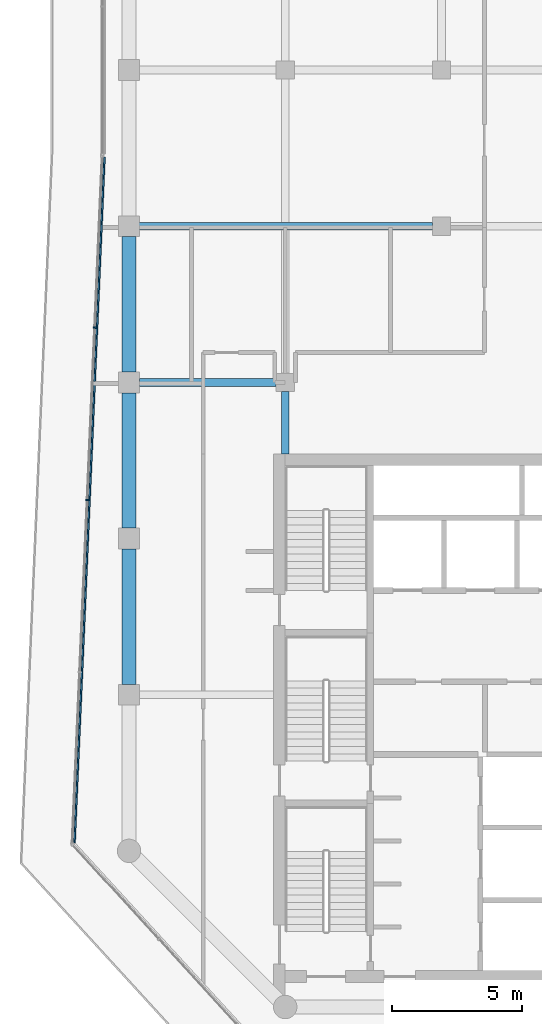
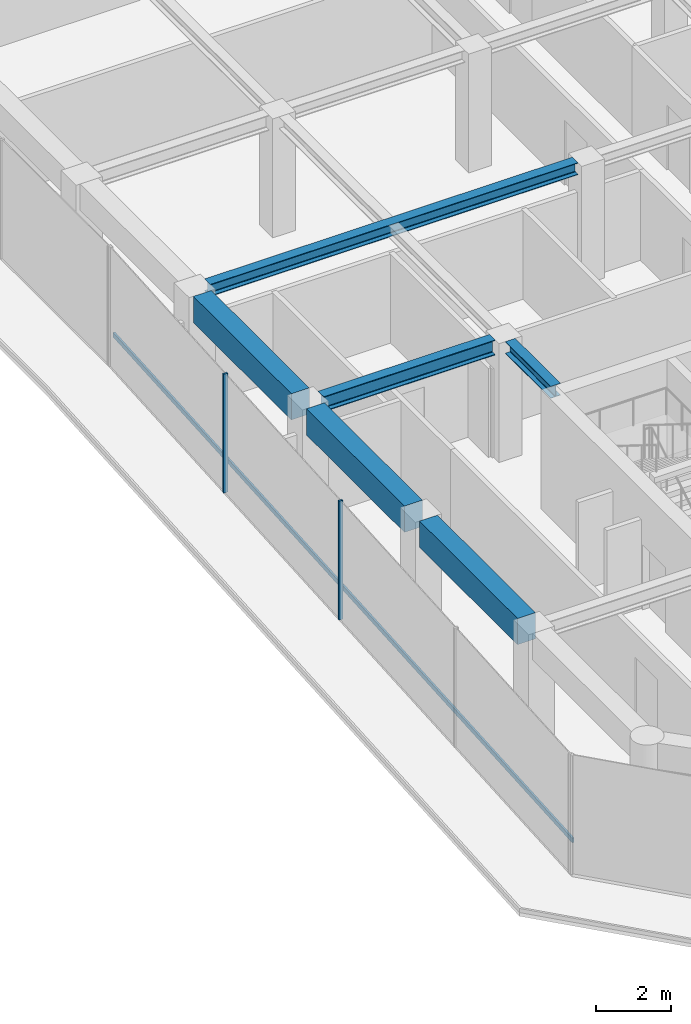
# One storey, part 4 of 20: 6 beams, 3 members, 1 element without a shape of its own.
"""IFC4 building model written with IfcOpenShell, lengths in metres."""

from ifc_helpers import new_model, si_unit, direction, frame, origin, origin_2d, place, context, subcontext, project, spatial, rectangle, i_section, extrude, material, layer, layer_set, material_profile, profile_set, type_object, element, aggregate, save


model = new_model("IFC4")

# Units and contexts
model_context = context("Model", 3, precision=1e-05, world=origin(), true_north=direction((0.0, 1.0)))
body_context = subcontext(model_context, "Body", "Model", "MODEL_VIEW")
ifc_project = project(units=[si_unit("LENGTHUNIT", "METRE"), si_unit("AREAUNIT", "SQUARE_METRE"), si_unit("VOLUMEUNIT", "CUBIC_METRE"), si_unit("PLANEANGLEUNIT", "RADIAN"), si_unit("MASSUNIT", "GRAM", prefix="KILO")], contexts=[model_context])

# Site, building, storey
site_placement = place(None, origin())
site = spatial("IfcSite", under=ifc_project, at=site_placement, CompositionType="ELEMENT")
building_placement = place(site_placement, origin())
building = spatial("IfcBuilding", under=site, at=building_placement, Name="Welwitschia Terrace Campus", CompositionType="ELEMENT")
storey_placement = place(building_placement, frame((0.0, 0.0, 239.0)))
storey = spatial("IfcBuildingStorey", under=building, at=storey_placement, Name="L53", CompositionType="ELEMENT", Elevation=239.0)

# Beams
ifc_material_1 = material(Name="Steel S355", Category="steel")
ifc_material_profile_1 = material_profile(ifc_material_1, i_section(OverallWidth=0.300048828125, OverallDepth=0.389892578125, WebThickness=0.010986328125, FlangeThickness=0.01904296875, FilletRadius=0.027099609375, at=origin_2d()))
ifc_profile_set_1 = profile_set([ifc_material_profile_1], Name="Steel S355")
beam_type_1 = type_object("IfcBeamType", Name="Interior girder HE 400 A", PredefinedType="BEAM", material=ifc_profile_set_1)
beam_1_placement = place(storey_placement, frame((0.390380859375, 34.0, 3.655029296875), z_axis=(1.0, 0.0, 0.0), x_axis=(0.0, 1.0, 0.0)))
element("IfcBeam", 1, at=beam_1_placement, inside=storey, type_object=beam_type_1, Name="Girder GB5", PredefinedType="BEAM", context=body_context, shape_type="SweptSolid", body=[
    extrude(i_section(OverallWidth=0.300048828125, OverallDepth=0.389892578125, WebThickness=0.010986328125, FlangeThickness=0.01904296875, FilletRadius=0.027099609375, at=origin_2d()), origin(), (0.0, 0.0, 1.0), 11.259033203125),
])
beam_2_placement = place(storey_placement, frame((6.0, 25.2509765625, 3.655029296875), z_axis=(0.0, 1.0, 0.0), x_axis=(-1.0, 0.0, 0.0)))
element("IfcBeam", 2, at=beam_2_placement, inside=storey, type_object=beam_type_1, Name="Girder GB5", PredefinedType="BEAM", context=body_context, shape_type="SweptSolid", body=[
    extrude(i_section(OverallWidth=0.300048828125, OverallDepth=0.389892578125, WebThickness=0.010986328125, FlangeThickness=0.01904296875, FilletRadius=0.027099609375, at=origin_2d()), origin(), (0.0, 0.0, 1.0), 2.3984375),
])

# Curtain wall, members
ifc_material_2 = material(Name="Bronze anodised aluminium", Category="aluminium")
ifc_layer = layer(ifc_material_2, 0.1201171875)
ifc_layer_set = layer_set([ifc_layer], Name="Bronze anodised aluminium")
curtain_wall_type = type_object("IfcCurtainWallType", Name="Curtain wall CW2 tower 6000", PredefinedType="NOTDEFINED", material=ifc_layer_set)
curtain_wall_placement = place(storey_placement, origin())
curtain_wall = element("IfcCurtainWall", 3, at=curtain_wall_placement, inside=storey, type_object=curtain_wall_type, Name="CW L53.0.0", PredefinedType="NOTDEFINED")
ifc_material_3 = material(Name="Bronze anodised aluminium", Category="aluminium")
ifc_material_profile_2 = material_profile(ifc_material_3, rectangle(XDim=0.1201171875, YDim=0.06005859375, at=origin_2d()))
ifc_profile_set_2 = profile_set([ifc_material_profile_2], Name="Bronze anodised aluminium")
member_type_1 = type_object("IfcMemberType", Name="Mullion 60x120", PredefinedType="MULLION", material=ifc_profile_set_2)
member_1_placement = place(storey_placement, frame((-1.31884765625, 30.099853515625, 0.0), z_axis=(0.0, 0.0, 1.0), x_axis=(0.999048221582, -0.043619387365, 0.0)))
member_1 = element("IfcMember", 4, at=member_1_placement, type_object=member_type_1, Name="Mullion L53.0.0.1", PredefinedType="MULLION", context=body_context, shape_type="SweptSolid", body=[
    extrude(rectangle(XDim=0.1201171875, YDim=0.06005859375, at=origin_2d()), origin(), (0.0, 0.0, 1.0), 3.85009765625),
])
member_2_placement = place(storey_placement, frame((-1.607666015625, 23.484375, 0.0), z_axis=(0.0, 0.0, 1.0), x_axis=(0.999048221582, -0.043619387365, 0.0)))
member_2 = element("IfcMember", 5, at=member_2_placement, type_object=member_type_1, Name="Mullion L53.0.0.2", PredefinedType="MULLION", context=body_context, shape_type="SweptSolid", body=[
    extrude(rectangle(XDim=0.1201171875, YDim=0.06005859375, at=origin_2d()), origin(), (0.0, 0.0, 1.0), 3.85009765625),
])

# Beams
ifc_material_4 = material(Name="Steel S355", Category="steel")
ifc_material_profile_3 = material_profile(ifc_material_4, i_section(OverallWidth=0.300048828125, OverallDepth=0.489990234375, WebThickness=0.011962890625, FlangeThickness=0.02294921875, FilletRadius=0.027099609375, at=origin_2d()))
ifc_profile_set_3 = profile_set([ifc_material_profile_3], Name="Steel S355")
beam_type_2 = type_object("IfcBeamType", Name="Primary beam HE 500 A", PredefinedType="BEAM", material=ifc_profile_set_3)
beam_3_placement = place(storey_placement, frame((0.400390625, 28.0, 3.60498046875), z_axis=(1.0, 0.0, 0.0), x_axis=(0.0, 1.0, 0.0)))
element("IfcBeam", 6, at=beam_3_placement, inside=storey, type_object=beam_type_2, Name="Primary beam PB5", PredefinedType="BEAM", context=body_context, shape_type="SweptSolid", body=[
    extrude(i_section(OverallWidth=0.300048828125, OverallDepth=0.489990234375, WebThickness=0.011962890625, FlangeThickness=0.02294921875, FilletRadius=0.027099609375, at=origin_2d()), origin(), (0.0, 0.0, 1.0), 5.2490234375),
])
ifc_material_5 = material(Name="Concrete C50/60", Category="concrete")
ifc_material_profile_4 = material_profile(ifc_material_5, rectangle(XDim=0.550048828125, YDim=0.85009765625, at=origin_2d()))
ifc_profile_set_4 = profile_set([ifc_material_profile_4], Name="Concrete C50/60")
beam_type_3 = type_object("IfcBeamType", Name="Ring spandrel 550x850", PredefinedType="SPANDREL", material=ifc_profile_set_4)
for number, where, z_axis, x_axis, name in (
    (7, (0.0, 33.599609375, 3.425048828125), (0.0, -1.0, 0.0), (1.0, 0.0, 0.0), "Spandrel SP3"),
    (8, (0.0, 27.599609375, 3.425048828125), (0.0, -1.0, 0.0), (1.0, 0.0, 0.0), "Spandrel SP3"),
    (9, (0.0, 21.599609375, 3.425048828125), (0.0, -1.0, 0.0), (1.0, 0.0, 0.0), "Spandrel SP3"),
):
    element("IfcBeam", number, at=place(storey_placement, frame(where, z_axis=z_axis, x_axis=x_axis)), inside=storey, type_object=beam_type_3, Name=name, PredefinedType="SPANDREL", context=body_context, shape_type="SweptSolid", body=[
        extrude(rectangle(XDim=0.550048828125, YDim=0.85009765625, at=origin_2d()), origin(), (0.0, 0.0, 1.0), 5.19921875),
    ])

# Member
ifc_material_6 = material(Name="Bronze anodised aluminium", Category="aluminium")
ifc_material_profile_5 = material_profile(ifc_material_6, rectangle(XDim=0.06005859375, YDim=0.14990234375, at=origin_2d()))
ifc_profile_set_5 = profile_set([ifc_material_profile_5], Name="Bronze anodised aluminium")
member_type_2 = type_object("IfcMemberType", Name="Transom 60x150", PredefinedType="USERDEFINED", material=ifc_profile_set_5)
member_3_placement = place(storey_placement, frame((-0.942626953125, 36.651611328125, 1.0), z_axis=(-0.043620048896, -0.999048192699, 0.0), x_axis=(0.999048192699, -0.043620048896, 0.0)))
member_3 = element("IfcMember", 10, at=member_3_placement, type_object=member_type_2, Name="Transom L53.0.0", ObjectType="TRANSOM", PredefinedType="USERDEFINED", context=body_context, shape_type="SweptSolid", body=[
    extrude(rectangle(XDim=0.06005859375, YDim=0.14990234375, at=origin_2d()), origin(), (0.0, 0.0, 1.0), 26.367431640625),
])

aggregate(curtain_wall, [member_1, member_2, member_3])

save(model, "model.ifc")
